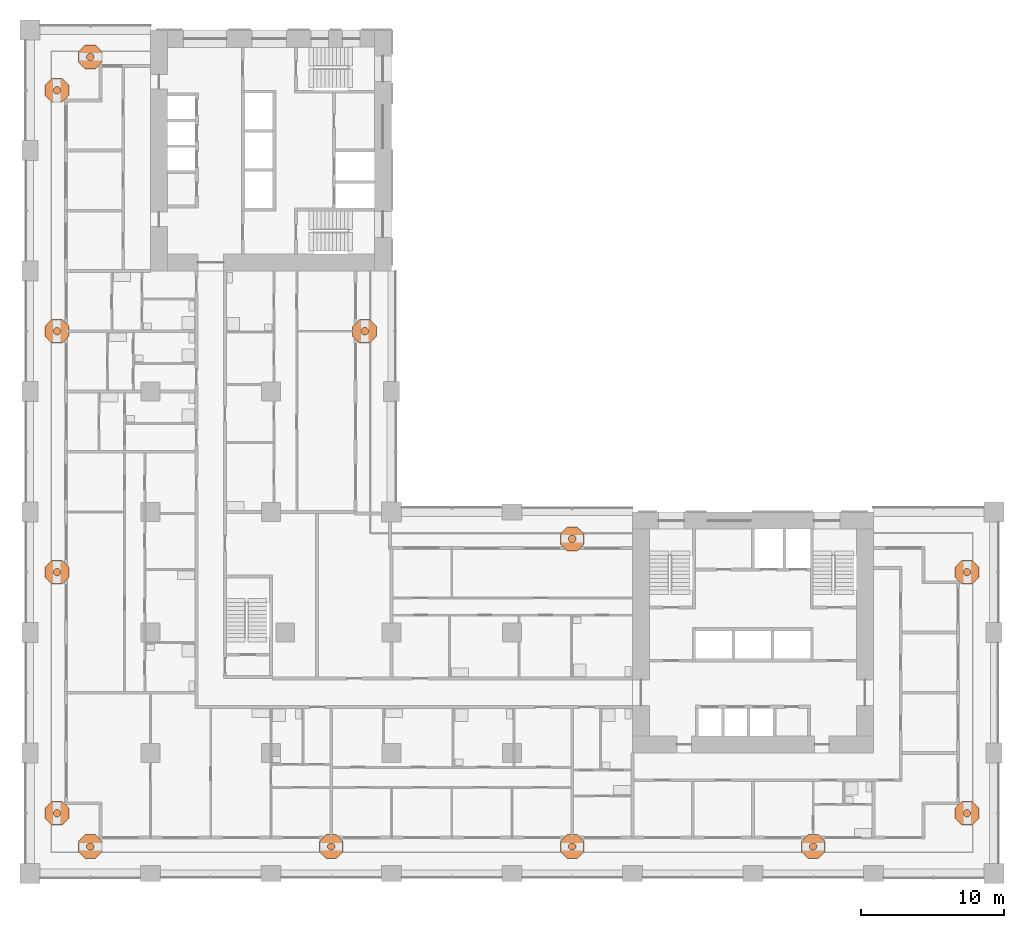
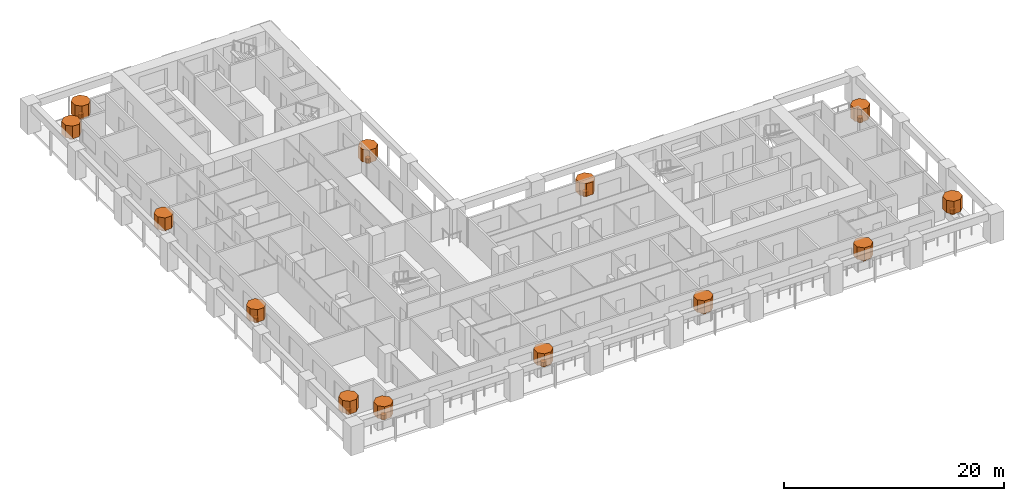
# One storey, part 19 of 19: 26 geographic elements.
"""IFC4 building model written with IfcOpenShell, lengths in metres."""

from ifc_helpers import new_model, si_unit, direction, frame, origin, place, context, subcontext, project, spatial, polyline, outline, extrude, material, element, save


model = new_model("IFC4")

# Units and contexts
model_context = context("Model", 3, precision=1e-05, world=origin(), true_north=direction((0.0, 1.0)))
body_context = subcontext(model_context, "Body", "Model", "MODEL_VIEW")
ifc_project = project(units=[si_unit("LENGTHUNIT", "METRE"), si_unit("AREAUNIT", "SQUARE_METRE"), si_unit("VOLUMEUNIT", "CUBIC_METRE"), si_unit("PLANEANGLEUNIT", "RADIAN"), si_unit("MASSUNIT", "GRAM", prefix="KILO")], contexts=[model_context])

# Site, building, storey
site_placement = place(None, origin())
site = spatial("IfcSite", under=ifc_project, at=site_placement, CompositionType="ELEMENT")
building_placement = place(site_placement, origin())
building = spatial("IfcBuilding", under=site, at=building_placement, Name="Vermilion Gate Residences", CompositionType="ELEMENT")
storey_placement = place(building_placement, frame((0.0, 0.0, 32.199951171875)))
storey = spatial("IfcBuildingStorey", under=building, at=storey_placement, Name="L06", CompositionType="ELEMENT", Elevation=32.199951171875)

# Geographic elements
ifc_material = material(Name="Foliage")
geographic_element_1_placement = place(storey_placement, frame((0.0, 0.0, 0.900146484375)))
element("IfcGeographicElement", 1, at=geographic_element_1_placement, inside=storey, material=ifc_material, Name="Tree (black pine)", ObjectType="TREE", PredefinedType="USERDEFINED", context=body_context, shape_type="SweptSolid", body=[
    extrude(outline(polyline([(4.4541015625, 1.980224609375), (4.30517578125, 2.129150390625), (4.0947265625, 2.129150390625), (3.94580078125, 1.980224609375), (3.94580078125, 1.769775390625), (4.0947265625, 1.620849609375), (4.30517578125, 1.620849609375), (4.4541015625, 1.769775390625), (4.4541015625, 1.980224609375)])), origin(), (0.0, 0.0, 1.0), 0.52001953125),
])
geographic_element_2_placement = place(storey_placement, frame((0.0, 0.0, 1.420166015625)))
element("IfcGeographicElement", 2, at=geographic_element_2_placement, inside=storey, material=ifc_material, Name="Tree crown (black pine)", ObjectType="TREE", PredefinedType="USERDEFINED", context=body_context, shape_type="SweptSolid", body=[
    extrude(outline(polyline([(5.031494140625, 2.219482421875), (4.54443359375, 2.70654296875), (3.855712890625, 2.70654296875), (3.368408203125, 2.219482421875), (3.368408203125, 1.530517578125), (3.855712890625, 1.04345703125), (4.54443359375, 1.04345703125), (5.031494140625, 1.530517578125), (5.031494140625, 2.219482421875)])), origin(), (0.0, 0.0, 1.0), 1.39990234375),
])
geographic_element_3_placement = place(storey_placement, frame((0.0, 0.0, 0.900146484375)))
element("IfcGeographicElement", 3, at=geographic_element_3_placement, inside=storey, material=ifc_material, Name="Tree (maple)", ObjectType="TREE", PredefinedType="USERDEFINED", context=body_context, shape_type="SweptSolid", body=[
    extrude(outline(polyline([(21.254150390625, 1.980224609375), (21.105224609375, 2.129150390625), (20.894775390625, 2.129150390625), (20.745849609375, 1.980224609375), (20.745849609375, 1.769775390625), (20.894775390625, 1.620849609375), (21.105224609375, 1.620849609375), (21.254150390625, 1.769775390625), (21.254150390625, 1.980224609375)])), origin(), (0.0, 0.0, 1.0), 0.52001953125),
])
geographic_element_4_placement = place(storey_placement, frame((0.0, 0.0, 1.420166015625)))
element("IfcGeographicElement", 4, at=geographic_element_4_placement, inside=storey, material=ifc_material, Name="Tree crown (maple)", ObjectType="TREE", PredefinedType="USERDEFINED", context=body_context, shape_type="SweptSolid", body=[
    extrude(outline(polyline([(21.83154296875, 2.219482421875), (21.344482421875, 2.70654296875), (20.655517578125, 2.70654296875), (20.16845703125, 2.219482421875), (20.16845703125, 1.530517578125), (20.655517578125, 1.04345703125), (21.344482421875, 1.04345703125), (21.83154296875, 1.530517578125), (21.83154296875, 2.219482421875)])), origin(), (0.0, 0.0, 1.0), 1.39990234375),
])
geographic_element_5_placement = place(storey_placement, frame((0.0, 0.0, 0.900146484375)))
element("IfcGeographicElement", 5, at=geographic_element_5_placement, inside=storey, material=ifc_material, Name="Tree (black pine)", ObjectType="TREE", PredefinedType="USERDEFINED", context=body_context, shape_type="SweptSolid", body=[
    extrude(outline(polyline([(38.05419921875, 1.980224609375), (37.9052734375, 2.129150390625), (37.69482421875, 2.129150390625), (37.5458984375, 1.980224609375), (37.5458984375, 1.769775390625), (37.69482421875, 1.620849609375), (37.9052734375, 1.620849609375), (38.05419921875, 1.769775390625), (38.05419921875, 1.980224609375)])), origin(), (0.0, 0.0, 1.0), 0.52001953125),
])
geographic_element_6_placement = place(storey_placement, frame((0.0, 0.0, 1.420166015625)))
element("IfcGeographicElement", 6, at=geographic_element_6_placement, inside=storey, material=ifc_material, Name="Tree crown (black pine)", ObjectType="TREE", PredefinedType="USERDEFINED", context=body_context, shape_type="SweptSolid", body=[
    extrude(outline(polyline([(38.631591796875, 2.219482421875), (38.144287109375, 2.70654296875), (37.45556640625, 2.70654296875), (36.968505859375, 2.219482421875), (36.968505859375, 1.530517578125), (37.45556640625, 1.04345703125), (38.144287109375, 1.04345703125), (38.631591796875, 1.530517578125), (38.631591796875, 2.219482421875)])), origin(), (0.0, 0.0, 1.0), 1.39990234375),
])
geographic_element_7_placement = place(storey_placement, frame((0.0, 0.0, 0.900146484375)))
element("IfcGeographicElement", 7, at=geographic_element_7_placement, inside=storey, material=ifc_material, Name="Tree (maple)", ObjectType="TREE", PredefinedType="USERDEFINED", context=body_context, shape_type="SweptSolid", body=[
    extrude(outline(polyline([(54.85400390625, 1.980224609375), (54.705078125, 2.129150390625), (54.494873046875, 2.129150390625), (54.345947265625, 1.980224609375), (54.345947265625, 1.769775390625), (54.494873046875, 1.620849609375), (54.705078125, 1.620849609375), (54.85400390625, 1.769775390625), (54.85400390625, 1.980224609375)])), origin(), (0.0, 0.0, 1.0), 0.52001953125),
])
geographic_element_8_placement = place(storey_placement, frame((0.0, 0.0, 1.420166015625)))
element("IfcGeographicElement", 8, at=geographic_element_8_placement, inside=storey, material=ifc_material, Name="Tree crown (maple)", ObjectType="TREE", PredefinedType="USERDEFINED", context=body_context, shape_type="SweptSolid", body=[
    extrude(outline(polyline([(55.431396484375, 2.219482421875), (54.9443359375, 2.70654296875), (54.255615234375, 2.70654296875), (53.7685546875, 2.219482421875), (53.7685546875, 1.530517578125), (54.255615234375, 1.04345703125), (54.9443359375, 1.04345703125), (55.431396484375, 1.530517578125), (55.431396484375, 2.219482421875)])), origin(), (0.0, 0.0, 1.0), 1.39990234375),
])
geographic_element_9_placement = place(storey_placement, frame((0.0, 0.0, 0.900146484375)))
element("IfcGeographicElement", 9, at=geographic_element_9_placement, inside=storey, material=ifc_material, Name="Tree (black pine)", ObjectType="TREE", PredefinedType="USERDEFINED", context=body_context, shape_type="SweptSolid", body=[
    extrude(outline(polyline([(65.5791015625, 4.30517578125), (65.43017578125, 4.4541015625), (65.2197265625, 4.4541015625), (65.07080078125, 4.30517578125), (65.07080078125, 4.0947265625), (65.2197265625, 3.94580078125), (65.43017578125, 3.94580078125), (65.5791015625, 4.0947265625), (65.5791015625, 4.30517578125)])), origin(), (0.0, 0.0, 1.0), 0.52001953125),
])
geographic_element_10_placement = place(storey_placement, frame((0.0, 0.0, 1.420166015625)))
element("IfcGeographicElement", 10, at=geographic_element_10_placement, inside=storey, material=ifc_material, Name="Tree crown (black pine)", ObjectType="TREE", PredefinedType="USERDEFINED", context=body_context, shape_type="SweptSolid", body=[
    extrude(outline(polyline([(66.156494140625, 4.54443359375), (65.66943359375, 5.031494140625), (64.980712890625, 5.031494140625), (64.493408203125, 4.54443359375), (64.493408203125, 3.855712890625), (64.980712890625, 3.368408203125), (65.66943359375, 3.368408203125), (66.156494140625, 3.855712890625), (66.156494140625, 4.54443359375)])), origin(), (0.0, 0.0, 1.0), 1.39990234375),
])
geographic_element_11_placement = place(storey_placement, frame((0.0, 0.0, 0.900146484375)))
element("IfcGeographicElement", 11, at=geographic_element_11_placement, inside=storey, material=ifc_material, Name="Tree (maple)", ObjectType="TREE", PredefinedType="USERDEFINED", context=body_context, shape_type="SweptSolid", body=[
    extrude(outline(polyline([(65.5791015625, 21.105224609375), (65.43017578125, 21.254150390625), (65.2197265625, 21.254150390625), (65.07080078125, 21.105224609375), (65.07080078125, 20.894775390625), (65.2197265625, 20.745849609375), (65.43017578125, 20.745849609375), (65.5791015625, 20.894775390625), (65.5791015625, 21.105224609375)])), origin(), (0.0, 0.0, 1.0), 0.52001953125),
])
geographic_element_12_placement = place(storey_placement, frame((0.0, 0.0, 1.420166015625)))
element("IfcGeographicElement", 12, at=geographic_element_12_placement, inside=storey, material=ifc_material, Name="Tree crown (maple)", ObjectType="TREE", PredefinedType="USERDEFINED", context=body_context, shape_type="SweptSolid", body=[
    extrude(outline(polyline([(66.156494140625, 21.344482421875), (65.66943359375, 21.83154296875), (64.980712890625, 21.83154296875), (64.493408203125, 21.344482421875), (64.493408203125, 20.655517578125), (64.980712890625, 20.16845703125), (65.66943359375, 20.16845703125), (66.156494140625, 20.655517578125), (66.156494140625, 21.344482421875)])), origin(), (0.0, 0.0, 1.0), 1.39990234375),
])
geographic_element_13_placement = place(storey_placement, frame((0.0, 0.0, 0.900146484375)))
element("IfcGeographicElement", 13, at=geographic_element_13_placement, inside=storey, material=ifc_material, Name="Tree (black pine)", ObjectType="TREE", PredefinedType="USERDEFINED", context=body_context, shape_type="SweptSolid", body=[
    extrude(outline(polyline([(38.05419921875, 23.43017578125), (37.9052734375, 23.5791015625), (37.69482421875, 23.5791015625), (37.5458984375, 23.43017578125), (37.5458984375, 23.2197265625), (37.69482421875, 23.07080078125), (37.9052734375, 23.07080078125), (38.05419921875, 23.2197265625), (38.05419921875, 23.43017578125)])), origin(), (0.0, 0.0, 1.0), 0.52001953125),
])
geographic_element_14_placement = place(storey_placement, frame((0.0, 0.0, 1.420166015625)))
element("IfcGeographicElement", 14, at=geographic_element_14_placement, inside=storey, material=ifc_material, Name="Tree crown (black pine)", ObjectType="TREE", PredefinedType="USERDEFINED", context=body_context, shape_type="SweptSolid", body=[
    extrude(outline(polyline([(38.631591796875, 23.66943359375), (38.144287109375, 24.156494140625), (37.45556640625, 24.156494140625), (36.968505859375, 23.66943359375), (36.968505859375, 22.980712890625), (37.45556640625, 22.493408203125), (38.144287109375, 22.493408203125), (38.631591796875, 22.980712890625), (38.631591796875, 23.66943359375)])), origin(), (0.0, 0.0, 1.0), 1.39990234375),
])
geographic_element_15_placement = place(storey_placement, frame((0.0, 0.0, 0.900146484375)))
element("IfcGeographicElement", 15, at=geographic_element_15_placement, inside=storey, material=ifc_material, Name="Tree (black pine)", ObjectType="TREE", PredefinedType="USERDEFINED", context=body_context, shape_type="SweptSolid", body=[
    extrude(outline(polyline([(23.5791015625, 37.9052734375), (23.43017578125, 38.05419921875), (23.2197265625, 38.05419921875), (23.07080078125, 37.9052734375), (23.07080078125, 37.69482421875), (23.2197265625, 37.5458984375), (23.43017578125, 37.5458984375), (23.5791015625, 37.69482421875), (23.5791015625, 37.9052734375)])), origin(), (0.0, 0.0, 1.0), 0.52001953125),
])
geographic_element_16_placement = place(storey_placement, frame((0.0, 0.0, 1.420166015625)))
element("IfcGeographicElement", 16, at=geographic_element_16_placement, inside=storey, material=ifc_material, Name="Tree crown (black pine)", ObjectType="TREE", PredefinedType="USERDEFINED", context=body_context, shape_type="SweptSolid", body=[
    extrude(outline(polyline([(24.156494140625, 38.144287109375), (23.66943359375, 38.631591796875), (22.980712890625, 38.631591796875), (22.493408203125, 38.144287109375), (22.493408203125, 37.45556640625), (22.980712890625, 36.968505859375), (23.66943359375, 36.968505859375), (24.156494140625, 37.45556640625), (24.156494140625, 38.144287109375)])), origin(), (0.0, 0.0, 1.0), 1.39990234375),
])
geographic_element_17_placement = place(storey_placement, frame((0.0, 0.0, 0.900146484375)))
element("IfcGeographicElement", 17, at=geographic_element_17_placement, inside=storey, material=ifc_material, Name="Tree (black pine)", ObjectType="TREE", PredefinedType="USERDEFINED", context=body_context, shape_type="SweptSolid", body=[
    extrude(outline(polyline([(4.4541015625, 57.0302734375), (4.30517578125, 57.17919921875), (4.0947265625, 57.17919921875), (3.94580078125, 57.0302734375), (3.94580078125, 56.81982421875), (4.0947265625, 56.6708984375), (4.30517578125, 56.6708984375), (4.4541015625, 56.81982421875), (4.4541015625, 57.0302734375)])), origin(), (0.0, 0.0, 1.0), 0.52001953125),
])
geographic_element_18_placement = place(storey_placement, frame((0.0, 0.0, 1.420166015625)))
element("IfcGeographicElement", 18, at=geographic_element_18_placement, inside=storey, material=ifc_material, Name="Tree crown (black pine)", ObjectType="TREE", PredefinedType="USERDEFINED", context=body_context, shape_type="SweptSolid", body=[
    extrude(outline(polyline([(5.031494140625, 57.269287109375), (4.54443359375, 57.756591796875), (3.855712890625, 57.756591796875), (3.368408203125, 57.269287109375), (3.368408203125, 56.58056640625), (3.855712890625, 56.093505859375), (4.54443359375, 56.093505859375), (5.031494140625, 56.58056640625), (5.031494140625, 57.269287109375)])), origin(), (0.0, 0.0, 1.0), 1.39990234375),
])
geographic_element_19_placement = place(storey_placement, frame((0.0, 0.0, 0.900146484375)))
element("IfcGeographicElement", 19, at=geographic_element_19_placement, inside=storey, material=ifc_material, Name="Tree (black pine)", ObjectType="TREE", PredefinedType="USERDEFINED", context=body_context, shape_type="SweptSolid", body=[
    extrude(outline(polyline([(2.129150390625, 4.30517578125), (1.980224609375, 4.4541015625), (1.769775390625, 4.4541015625), (1.620849609375, 4.30517578125), (1.620849609375, 4.0947265625), (1.769775390625, 3.94580078125), (1.980224609375, 3.94580078125), (2.129150390625, 4.0947265625), (2.129150390625, 4.30517578125)])), origin(), (0.0, 0.0, 1.0), 0.52001953125),
])
geographic_element_20_placement = place(storey_placement, frame((0.0, 0.0, 1.420166015625)))
element("IfcGeographicElement", 20, at=geographic_element_20_placement, inside=storey, material=ifc_material, Name="Tree crown (black pine)", ObjectType="TREE", PredefinedType="USERDEFINED", context=body_context, shape_type="SweptSolid", body=[
    extrude(outline(polyline([(2.70654296875, 4.54443359375), (2.219482421875, 5.031494140625), (1.530517578125, 5.031494140625), (1.04345703125, 4.54443359375), (1.04345703125, 3.855712890625), (1.530517578125, 3.368408203125), (2.219482421875, 3.368408203125), (2.70654296875, 3.855712890625), (2.70654296875, 4.54443359375)])), origin(), (0.0, 0.0, 1.0), 1.39990234375),
])
geographic_element_21_placement = place(storey_placement, frame((0.0, 0.0, 0.900146484375)))
element("IfcGeographicElement", 21, at=geographic_element_21_placement, inside=storey, material=ifc_material, Name="Tree (maple)", ObjectType="TREE", PredefinedType="USERDEFINED", context=body_context, shape_type="SweptSolid", body=[
    extrude(outline(polyline([(2.129150390625, 21.105224609375), (1.980224609375, 21.254150390625), (1.769775390625, 21.254150390625), (1.620849609375, 21.105224609375), (1.620849609375, 20.894775390625), (1.769775390625, 20.745849609375), (1.980224609375, 20.745849609375), (2.129150390625, 20.894775390625), (2.129150390625, 21.105224609375)])), origin(), (0.0, 0.0, 1.0), 0.52001953125),
])
geographic_element_22_placement = place(storey_placement, frame((0.0, 0.0, 1.420166015625)))
element("IfcGeographicElement", 22, at=geographic_element_22_placement, inside=storey, material=ifc_material, Name="Tree crown (maple)", ObjectType="TREE", PredefinedType="USERDEFINED", context=body_context, shape_type="SweptSolid", body=[
    extrude(outline(polyline([(2.70654296875, 21.344482421875), (2.219482421875, 21.83154296875), (1.530517578125, 21.83154296875), (1.04345703125, 21.344482421875), (1.04345703125, 20.655517578125), (1.530517578125, 20.16845703125), (2.219482421875, 20.16845703125), (2.70654296875, 20.655517578125), (2.70654296875, 21.344482421875)])), origin(), (0.0, 0.0, 1.0), 1.39990234375),
])
geographic_element_23_placement = place(storey_placement, frame((0.0, 0.0, 0.900146484375)))
element("IfcGeographicElement", 23, at=geographic_element_23_placement, inside=storey, material=ifc_material, Name="Tree (black pine)", ObjectType="TREE", PredefinedType="USERDEFINED", context=body_context, shape_type="SweptSolid", body=[
    extrude(outline(polyline([(2.129150390625, 37.9052734375), (1.980224609375, 38.05419921875), (1.769775390625, 38.05419921875), (1.620849609375, 37.9052734375), (1.620849609375, 37.69482421875), (1.769775390625, 37.5458984375), (1.980224609375, 37.5458984375), (2.129150390625, 37.69482421875), (2.129150390625, 37.9052734375)])), origin(), (0.0, 0.0, 1.0), 0.52001953125),
])
geographic_element_24_placement = place(storey_placement, frame((0.0, 0.0, 1.420166015625)))
element("IfcGeographicElement", 24, at=geographic_element_24_placement, inside=storey, material=ifc_material, Name="Tree crown (black pine)", ObjectType="TREE", PredefinedType="USERDEFINED", context=body_context, shape_type="SweptSolid", body=[
    extrude(outline(polyline([(2.70654296875, 38.144287109375), (2.219482421875, 38.631591796875), (1.530517578125, 38.631591796875), (1.04345703125, 38.144287109375), (1.04345703125, 37.45556640625), (1.530517578125, 36.968505859375), (2.219482421875, 36.968505859375), (2.70654296875, 37.45556640625), (2.70654296875, 38.144287109375)])), origin(), (0.0, 0.0, 1.0), 1.39990234375),
])
geographic_element_25_placement = place(storey_placement, frame((0.0, 0.0, 0.900146484375)))
element("IfcGeographicElement", 25, at=geographic_element_25_placement, inside=storey, material=ifc_material, Name="Tree (maple)", ObjectType="TREE", PredefinedType="USERDEFINED", context=body_context, shape_type="SweptSolid", body=[
    extrude(outline(polyline([(2.129150390625, 54.705078125), (1.980224609375, 54.85400390625), (1.769775390625, 54.85400390625), (1.620849609375, 54.705078125), (1.620849609375, 54.494873046875), (1.769775390625, 54.345947265625), (1.980224609375, 54.345947265625), (2.129150390625, 54.494873046875), (2.129150390625, 54.705078125)])), origin(), (0.0, 0.0, 1.0), 0.52001953125),
])
geographic_element_26_placement = place(storey_placement, frame((0.0, 0.0, 1.420166015625)))
element("IfcGeographicElement", 26, at=geographic_element_26_placement, inside=storey, material=ifc_material, Name="Tree crown (maple)", ObjectType="TREE", PredefinedType="USERDEFINED", context=body_context, shape_type="SweptSolid", body=[
    extrude(outline(polyline([(2.70654296875, 54.9443359375), (2.219482421875, 55.431396484375), (1.530517578125, 55.431396484375), (1.04345703125, 54.9443359375), (1.04345703125, 54.255615234375), (1.530517578125, 53.7685546875), (2.219482421875, 53.7685546875), (2.70654296875, 54.255615234375), (2.70654296875, 54.9443359375)])), origin(), (0.0, 0.0, 1.0), 1.39990234375),
])

save(model, "model.ifc")
